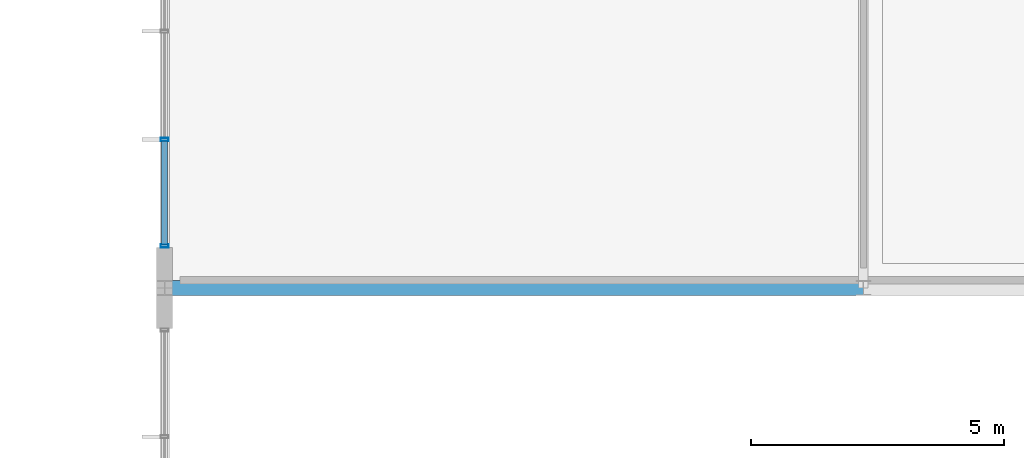
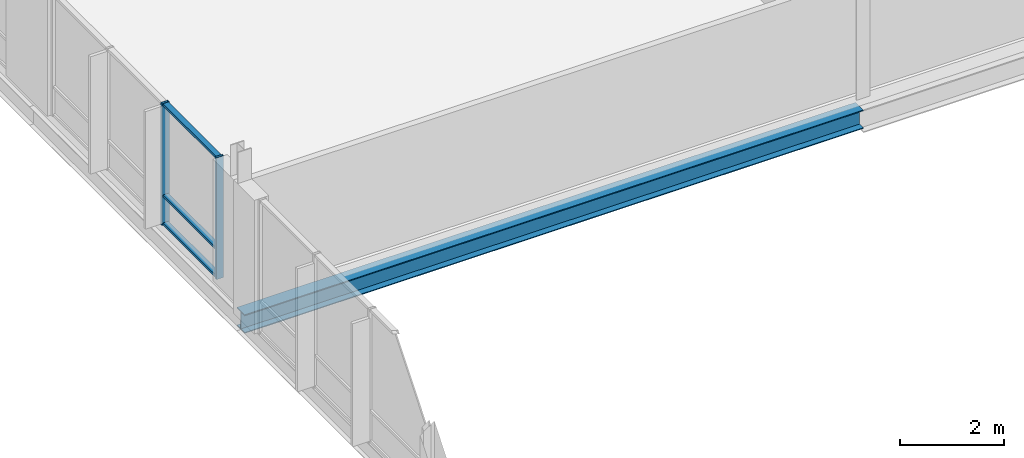
# One storey, part 113 of 189: 5 members, 1 beam, 1 element without a shape of its own.
"""IFC4 building model written with IfcOpenShell, lengths in metres."""

from ifc_helpers import new_model, si_unit, direction, frame, origin, origin_2d, place, context, subcontext, project, spatial, hollow_rectangle, i_section, extrude, material, material_profile, profile_set, type_object, element, aggregate, save


model = new_model("IFC4")

# Units and contexts
model_context = context("Model", 3, precision=1e-05, world=origin(), true_north=direction((0.0, 1.0)))
body_context = subcontext(model_context, "Body", "Model", "MODEL_VIEW")
ifc_project = project(units=[si_unit("LENGTHUNIT", "METRE"), si_unit("AREAUNIT", "SQUARE_METRE"), si_unit("VOLUMEUNIT", "CUBIC_METRE"), si_unit("PLANEANGLEUNIT", "RADIAN"), si_unit("MASSUNIT", "GRAM", prefix="KILO")], contexts=[model_context])

# Site, building, storey
site_placement = place(None, origin())
site = spatial("IfcSite", under=ifc_project, at=site_placement, CompositionType="ELEMENT")
building_placement = place(site_placement, origin())
building = spatial("IfcBuilding", under=site, at=building_placement, Name="Zavelmont Quarter", CompositionType="ELEMENT")
storey_placement = place(building_placement, frame((0.0, 0.0, 4.39990234375)))
storey = spatial("IfcBuildingStorey", under=building, at=storey_placement, Name="L01", CompositionType="ELEMENT", Elevation=4.39990234375)

# Beam
ifc_material_1 = material(Name="Steel S355", Category="steel")
ifc_material_profile_1 = material_profile(ifc_material_1, i_section(OverallWidth=0.300048828125, OverallDepth=0.43994140625, WebThickness=0.011474609375, FlangeThickness=0.02099609375, at=origin_2d()), Name="HEA 450")
ifc_profile_set_1 = profile_set([ifc_material_profile_1], Name="Steel S355")
beam_type = type_object("IfcBeamType", Name="BM10", PredefinedType="BEAM", material=ifc_profile_set_1)
beam_placement = place(storey_placement, frame((133.5, 54.0, -0.5), z_axis=(1.0, 0.0, 0.0), x_axis=(0.0, 1.0, 0.0)))
element("IfcBeam", 1, at=beam_placement, inside=storey, type_object=beam_type, Name="L01 beam BM10 20/J to 22/J", PredefinedType="BEAM", context=body_context, shape_type="SweptSolid", body=[
    extrude(i_section(OverallWidth=0.300048828125, OverallDepth=0.43994140625, WebThickness=0.011474609375, FlangeThickness=0.02099609375, at=origin_2d()), origin(), (0.0, 0.0, 1.0), 13.800048828125),
])

# Curtain wall, members
ifc_material_2 = material(Name="Thermally broken aluminium and double low-E safety glazing", Category="aluminium")
curtain_wall_type = type_object("IfcCurtainWallType", Name="CW-640X287", PredefinedType="NOTDEFINED", material=ifc_material_2)
curtain_wall_placement = place(storey_placement, origin())
curtain_wall = element("IfcCurtainWall", 2, at=curtain_wall_placement, inside=storey, type_object=curtain_wall_type, Name="L01 unitised curtain wall CW-640X287", PredefinedType="NOTDEFINED")
ifc_material_3 = material(Name="Powder-coated aluminium EN AW-6063-T6", Category="aluminium")
ifc_material_profile_2 = material_profile(ifc_material_3, hollow_rectangle(XDim=0.06005859375, YDim=0.159912109375, WallThickness=0.00390625, at=origin_2d()), Name="CWM60X160")
ifc_profile_set_2 = profile_set([ifc_material_profile_2], Name="Powder-coated aluminium EN AW-6063-T6")
member_type_1 = type_object("IfcMemberType", Name="CWM01", PredefinedType="MULLION", material=ifc_profile_set_2)
member_1_placement = place(storey_placement, frame((133.5, 54.830078125, 0.0), z_axis=(0.0, 0.0, 1.0), x_axis=(0.0, 1.0, 0.0)))
member_1 = element("IfcMember", 3, at=member_1_placement, type_object=member_type_1, Name="CW-640X287 mullion 1", PredefinedType="MULLION", context=body_context, shape_type="SweptSolid", body=[
    extrude(hollow_rectangle(XDim=0.06005859375, YDim=0.159912109375, WallThickness=0.00390625, at=origin_2d()), origin(), (0.0, 0.0, 1.0), 2.8701171875),
])
member_2_placement = place(storey_placement, frame((133.5, 56.933349609375, 0.0), z_axis=(0.0, 0.0, 1.0), x_axis=(0.0, 1.0, 0.0)))
member_2 = element("IfcMember", 4, at=member_2_placement, type_object=member_type_1, Name="CW-640X287 mullion 2", PredefinedType="MULLION", context=body_context, shape_type="SweptSolid", body=[
    extrude(hollow_rectangle(XDim=0.06005859375, YDim=0.159912109375, WallThickness=0.00390625, at=origin_2d()), origin(), (0.0, 0.0, 1.0), 2.8701171875),
])
ifc_material_profile_3 = material_profile(ifc_material_3, hollow_rectangle(XDim=0.1201171875, YDim=0.06005859375, WallThickness=0.00390625, at=origin_2d()), Name="CWT60X120")
ifc_profile_set_3 = profile_set([ifc_material_profile_3], Name="Powder-coated aluminium EN AW-6063-T6")
member_type_2 = type_object("IfcMemberType", Name="CWT01", PredefinedType="NOTDEFINED", material=ifc_profile_set_3)
member_3_placement = place(storey_placement, frame((133.5, 54.860107421875, 0.030029296875), z_axis=(0.0, 1.0, 0.0), x_axis=(-1.0, 0.0, 0.0)))
member_3 = element("IfcMember", 5, at=member_3_placement, type_object=member_type_2, Name="CW-640X287 transom 1.1", ObjectType="TRANSOM", PredefinedType="USERDEFINED", context=body_context, shape_type="SweptSolid", body=[
    extrude(hollow_rectangle(XDim=0.1201171875, YDim=0.06005859375, WallThickness=0.00390625, at=origin_2d()), origin(), (0.0, 0.0, 1.0), 2.043212890625),
])
member_4_placement = place(storey_placement, frame((133.5, 54.860107421875, 0.689208984375), z_axis=(0.0, 1.0, 0.0), x_axis=(-1.0, 0.0, 0.0)))
member_4 = element("IfcMember", 6, at=member_4_placement, type_object=member_type_2, Name="CW-640X287 transom 1.2", ObjectType="TRANSOM", PredefinedType="USERDEFINED", context=body_context, shape_type="SweptSolid", body=[
    extrude(hollow_rectangle(XDim=0.1201171875, YDim=0.06005859375, WallThickness=0.00390625, at=origin_2d()), origin(), (0.0, 0.0, 1.0), 2.043212890625),
])
member_5_placement = place(storey_placement, frame((133.5, 54.860107421875, 2.840087890625), z_axis=(0.0, 1.0, 0.0), x_axis=(-1.0, 0.0, 0.0)))
member_5 = element("IfcMember", 7, at=member_5_placement, type_object=member_type_2, Name="CW-640X287 transom 1.3", ObjectType="TRANSOM", PredefinedType="USERDEFINED", context=body_context, shape_type="SweptSolid", body=[
    extrude(hollow_rectangle(XDim=0.1201171875, YDim=0.06005859375, WallThickness=0.00390625, at=origin_2d()), origin(), (0.0, 0.0, 1.0), 2.043212890625),
])
aggregate(curtain_wall, [member_1, member_2, member_3, member_4, member_5])

save(model, "model.ifc")
